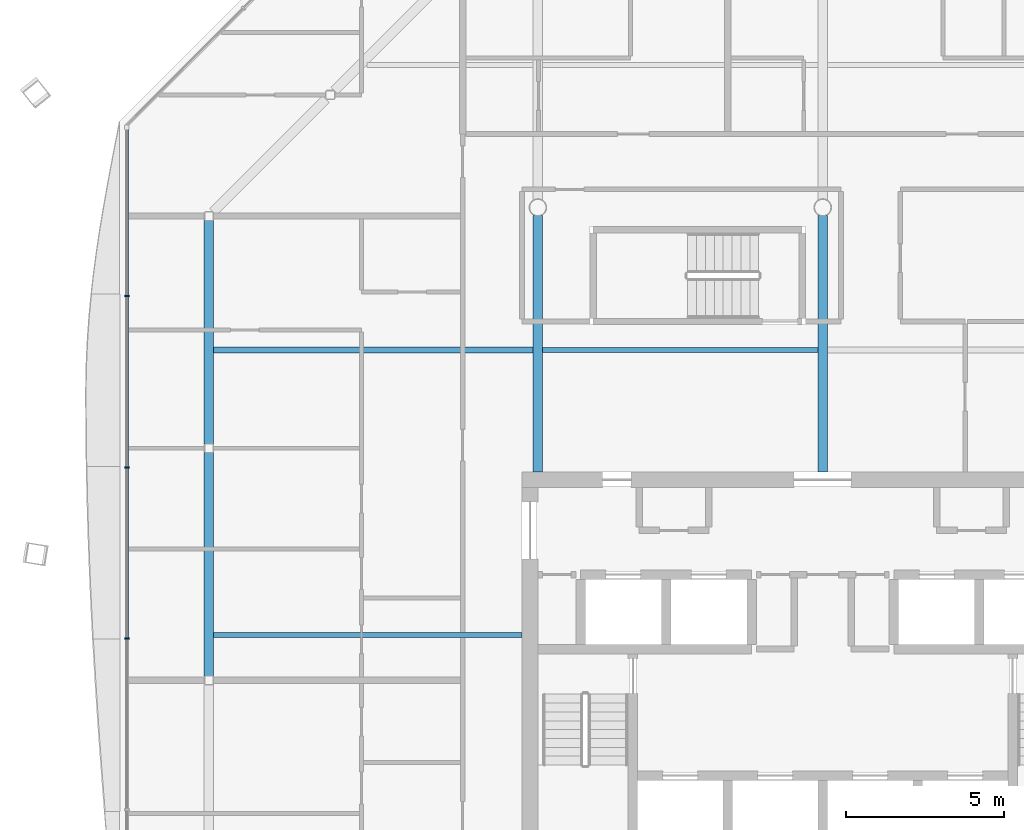
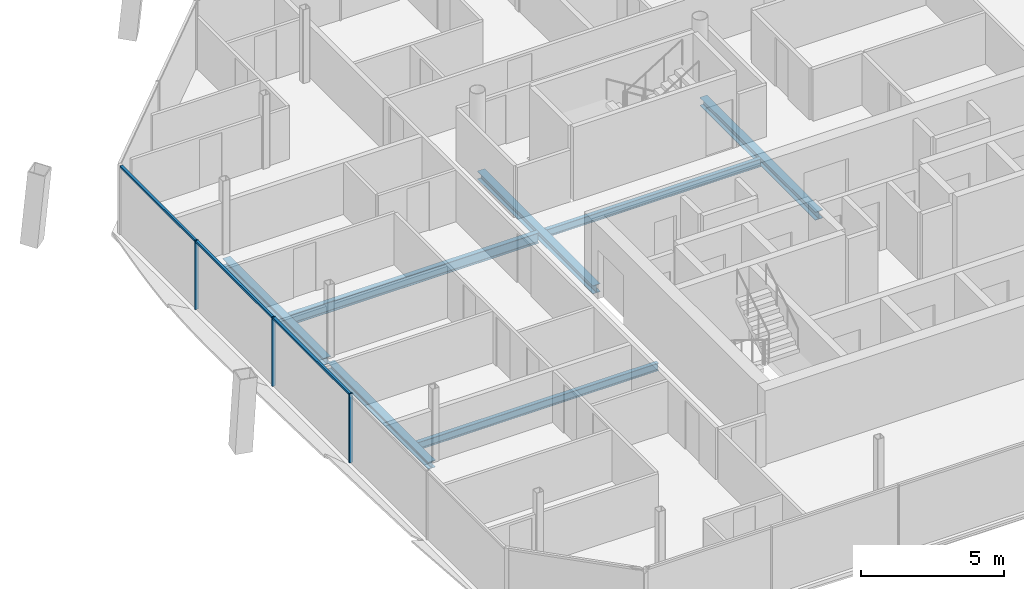
# One storey, part 6 of 18: 7 beams, 6 members, 1 element without a shape of its own.
"""IFC4 building model written with IfcOpenShell, lengths in metres."""

from ifc_helpers import new_model, si_unit, direction, frame, origin, origin_2d, place, context, subcontext, project, spatial, rectangle, i_section, extrude, material, material_profile, profile_set, type_object, element, aggregate, save


model = new_model("IFC4")

# Units and contexts
model_context = context("Model", 3, precision=1e-05, world=origin(), true_north=direction((0.0, 1.0)))
body_context = subcontext(model_context, "Body", "Model", "MODEL_VIEW")
ifc_project = project(units=[si_unit("LENGTHUNIT", "METRE"), si_unit("AREAUNIT", "SQUARE_METRE"), si_unit("VOLUMEUNIT", "CUBIC_METRE"), si_unit("PLANEANGLEUNIT", "RADIAN"), si_unit("MASSUNIT", "GRAM", prefix="KILO")], contexts=[model_context])

# Site, building, storey
site_placement = place(None, origin())
site = spatial("IfcSite", under=ifc_project, at=site_placement, CompositionType="ELEMENT")
building_placement = place(site_placement, origin())
building = spatial("IfcBuilding", under=site, at=building_placement, Name="Tskaro Facet Tower", CompositionType="ELEMENT")
storey_placement = place(building_placement, frame((0.0, 0.0, 220.35009765625)))
storey = spatial("IfcBuildingStorey", under=building, at=storey_placement, Name="L56", CompositionType="ELEMENT", Elevation=220.35009765625)

# Curtain wall, members
ifc_material_1 = material(Name="Bronze anodised aluminium 6063-T6", Category="aluminium")
curtain_wall_type = type_object("IfcCurtainWallType", Name="Bronze residence curtain wall (FW3)", PredefinedType="NOTDEFINED", material=ifc_material_1)
curtain_wall_placement = place(storey_placement, origin())
curtain_wall = element("IfcCurtainWall", 1, at=curtain_wall_placement, inside=storey, type_object=curtain_wall_type, Name="FW3 west facet L56", PredefinedType="NOTDEFINED")
ifc_material_profile_1 = material_profile(ifc_material_1, rectangle(XDim=0.050048828125, YDim=0.139892578125, at=origin_2d()), Name="Mullion 50x140")
ifc_profile_set_1 = profile_set([ifc_material_profile_1], Name="Bronze anodised aluminium 6063-T6")
member_type_1 = type_object("IfcMemberType", Name="FW3 bronze mullion 50x140", PredefinedType="MULLION", material=ifc_profile_set_1)
member_1_placement = place(storey_placement, frame((-21.985107421875, 6.2001953125, 0.0), z_axis=(0.0, 0.0, 1.0), x_axis=(0.0, -1.0, 0.0)))
member_1 = element("IfcMember", 2, at=member_1_placement, type_object=member_type_1, Name="FW3 west mullion 1", PredefinedType="MULLION", context=body_context, shape_type="SweptSolid", body=[
    extrude(rectangle(XDim=0.050048828125, YDim=0.139892578125, at=origin_2d()), origin(), (0.0, 0.0, 1.0), 2.949951171875),
])
member_2_placement = place(storey_placement, frame((-21.985107421875, 0.79150390625, 0.0), z_axis=(0.0, 0.0, 1.0), x_axis=(0.0, -1.0, 0.0)))
member_2 = element("IfcMember", 3, at=member_2_placement, type_object=member_type_1, Name="FW3 west mullion 2", PredefinedType="MULLION", context=body_context, shape_type="SweptSolid", body=[
    extrude(rectangle(XDim=0.050048828125, YDim=0.139892578125, at=origin_2d()), origin(), (0.0, 0.0, 1.0), 2.949951171875),
])
member_3_placement = place(storey_placement, frame((-21.985107421875, -4.617431640625, 0.0), z_axis=(0.0, 0.0, 1.0), x_axis=(0.0, -1.0, 0.0)))
member_3 = element("IfcMember", 4, at=member_3_placement, type_object=member_type_1, Name="FW3 west mullion 3", PredefinedType="MULLION", context=body_context, shape_type="SweptSolid", body=[
    extrude(rectangle(XDim=0.050048828125, YDim=0.139892578125, at=origin_2d()), origin(), (0.0, 0.0, 1.0), 2.949951171875),
])
ifc_material_profile_2 = material_profile(ifc_material_1, rectangle(XDim=0.10009765625, YDim=0.090087890625, at=origin_2d()), Name="Transom 100x90")
ifc_profile_set_2 = profile_set([ifc_material_profile_2], Name="Bronze anodised aluminium 6063-T6")
member_type_2 = type_object("IfcMemberType", Name="FW3 bronze transom 100x90", PredefinedType="USERDEFINED", material=ifc_profile_set_2)
member_4_placement = place(storey_placement, frame((-21.985107421875, 11.468994140625, 2.90478515625), z_axis=(0.0, -1.0, 0.0), x_axis=(1.0, 0.0, 0.0)))
member_4 = element("IfcMember", 5, at=member_4_placement, type_object=member_type_2, Name="FW3 west transom 1.1", ObjectType="TRANSOM", PredefinedType="USERDEFINED", context=body_context, shape_type="SweptSolid", body=[
    extrude(rectangle(XDim=0.10009765625, YDim=0.090087890625, at=origin_2d()), origin(), (0.0, 0.0, 1.0), 5.243896484375),
])
member_5_placement = place(storey_placement, frame((-21.985107421875, 6.17529296875, 2.90478515625), z_axis=(0.0, -1.0, 0.0), x_axis=(1.0, 0.0, 0.0)))
member_5 = element("IfcMember", 6, at=member_5_placement, type_object=member_type_2, Name="FW3 west transom 2.1", ObjectType="TRANSOM", PredefinedType="USERDEFINED", context=body_context, shape_type="SweptSolid", body=[
    extrude(rectangle(XDim=0.10009765625, YDim=0.090087890625, at=origin_2d()), origin(), (0.0, 0.0, 1.0), 5.35888671875),
])
member_6_placement = place(storey_placement, frame((-21.985107421875, 0.766357421875, 2.90478515625), z_axis=(0.0, -1.0, 0.0), x_axis=(1.0, 0.0, 0.0)))
member_6 = element("IfcMember", 7, at=member_6_placement, type_object=member_type_2, Name="FW3 west transom 3.1", ObjectType="TRANSOM", PredefinedType="USERDEFINED", context=body_context, shape_type="SweptSolid", body=[
    extrude(rectangle(XDim=0.10009765625, YDim=0.090087890625, at=origin_2d()), origin(), (0.0, 0.0, 1.0), 5.358642578125),
])
aggregate(curtain_wall, [member_1, member_2, member_3, member_4, member_5, member_6])

# Beams
ifc_material_2 = material(Name="Steel S355J2", Category="steel")
ifc_material_profile_3 = material_profile(ifc_material_2, i_section(OverallWidth=0.300048828125, OverallDepth=0.300048828125, WebThickness=0.010986328125, FlangeThickness=0.01904296875, FilletRadius=0.027099609375, at=origin_2d()), Name="HE 300 B")
ifc_profile_set_3 = profile_set([ifc_material_profile_3], Name="Steel S355J2")
beam_type_1 = type_object("IfcBeamType", Name="HE 300 B ring beam", PredefinedType="BEAM", material=ifc_profile_set_3)
beam_1_placement = place(storey_placement, frame((-19.39111328125, 8.594970703125, -0.2900390625), z_axis=(0.0, -1.0, 0.0), x_axis=(1.0, 0.0, 0.0)))
element("IfcBeam", 8, at=beam_1_placement, inside=storey, type_object=beam_type_1, Name="HE 300 B EB14-5", PredefinedType="BEAM", context=body_context, shape_type="SweptSolid", body=[
    extrude(i_section(OverallWidth=0.300048828125, OverallDepth=0.300048828125, WebThickness=0.010986328125, FlangeThickness=0.01904296875, FilletRadius=0.027099609375, at=origin_2d()), origin(), (0.0, 0.0, 1.0), 7.071044921875),
])
beam_2_placement = place(storey_placement, frame((-19.39111328125, 1.263916015625, -0.2900390625), z_axis=(0.0, -1.0, 0.0), x_axis=(1.0, 0.0, 0.0)))
element("IfcBeam", 9, at=beam_2_placement, inside=storey, type_object=beam_type_1, Name="HE 300 B EB15-5", PredefinedType="BEAM", context=body_context, shape_type="SweptSolid", body=[
    extrude(i_section(OverallWidth=0.300048828125, OverallDepth=0.300048828125, WebThickness=0.010986328125, FlangeThickness=0.01904296875, FilletRadius=0.027099609375, at=origin_2d()), origin(), (0.0, 0.0, 1.0), 7.07080078125),
])
ifc_material_profile_4 = material_profile(ifc_material_2, i_section(OverallWidth=0.300048828125, OverallDepth=0.35009765625, WebThickness=0.010009765625, FlangeThickness=0.017578125, FilletRadius=0.027099609375, at=origin_2d()), Name="HE 360 A")
ifc_profile_set_4 = profile_set([ifc_material_profile_4], Name="Steel S355J2")
beam_type_2 = type_object("IfcBeamType", Name="HE 360 A girder", PredefinedType="BEAM", material=ifc_profile_set_4)
for number, where, z_axis, x_axis, name in (
    (10, (-9.0, 0.64990234375, -0.315185546875), (0.0, 1.0, 0.0), (-1.0, 0.0, 0.0), "HE 360 A GB3-2-5"),
    (11, (0.0, 0.64990234375, -0.315185546875), (0.0, 1.0, 0.0), (-1.0, 0.0, 0.0), "HE 360 A GB4-2-5"),
):
    element("IfcBeam", number, at=place(storey_placement, frame(where, z_axis=z_axis, x_axis=x_axis)), inside=storey, type_object=beam_type_2, Name=name, PredefinedType="BEAM", context=body_context, shape_type="SweptSolid", body=[
        extrude(i_section(OverallWidth=0.300048828125, OverallDepth=0.35009765625, WebThickness=0.010009765625, FlangeThickness=0.017578125, FilletRadius=0.027099609375, at=origin_2d()), origin(), (0.0, 0.0, 1.0), 8.1005859375),
    ])
ifc_material_profile_5 = material_profile(ifc_material_2, i_section(OverallWidth=0.159912109375, OverallDepth=0.330078125, WebThickness=0.007568359375, FlangeThickness=0.011474609375, FilletRadius=0.01806640625, at=origin_2d()), Name="IPE 330")
ifc_profile_set_5 = profile_set([ifc_material_profile_5], Name="Steel S355J2")
beam_type_3 = type_object("IfcBeamType", Name="IPE 330 secondary beam", PredefinedType="BEAM", material=ifc_profile_set_5)
beam_3_placement = place(storey_placement, frame((-19.240966796875, -4.5, -0.30517578125), z_axis=(1.0, 0.0, 0.0), x_axis=(0.0, 1.0, 0.0)))
element("IfcBeam", 12, at=beam_3_placement, inside=storey, type_object=beam_type_3, Name="IPE 330 SB3a-1-5", PredefinedType="BEAM", context=body_context, shape_type="SweptSolid", body=[
    extrude(i_section(OverallWidth=0.159912109375, OverallDepth=0.330078125, WebThickness=0.007568359375, FlangeThickness=0.011474609375, FilletRadius=0.01806640625, at=origin_2d()), origin(), (0.0, 0.0, 1.0), 9.740966796875),
])
beam_4_placement = place(storey_placement, frame((-8.85009765625, 4.5, -0.30517578125), z_axis=(1.0, 0.0, 0.0), x_axis=(0.0, 1.0, 0.0)))
element("IfcBeam", 13, at=beam_4_placement, inside=storey, type_object=beam_type_3, Name="IPE 330 SB4a-2-5", PredefinedType="BEAM", context=body_context, shape_type="SweptSolid", body=[
    extrude(i_section(OverallWidth=0.159912109375, OverallDepth=0.330078125, WebThickness=0.007568359375, FlangeThickness=0.011474609375, FilletRadius=0.01806640625, at=origin_2d()), origin(), (0.0, 0.0, 1.0), 8.7001953125),
])
ifc_material_profile_6 = material_profile(ifc_material_2, i_section(OverallWidth=0.18994140625, OverallDepth=0.449951171875, WebThickness=0.009521484375, FlangeThickness=0.0146484375, FilletRadius=0.02099609375, at=origin_2d()), Name="IPE 450")
ifc_profile_set_6 = profile_set([ifc_material_profile_6], Name="Steel S355J2")
beam_type_4 = type_object("IfcBeamType", Name="IPE 450 long secondary beam", PredefinedType="BEAM", material=ifc_profile_set_6)
beam_5_placement = place(storey_placement, frame((-19.240966796875, 4.5, -0.364990234375), z_axis=(1.0, 0.0, 0.0), x_axis=(0.0, 1.0, 0.0)))
element("IfcBeam", 14, at=beam_5_placement, inside=storey, type_object=beam_type_4, Name="IPE 450 LSB4a-1-5", PredefinedType="BEAM", context=body_context, shape_type="SweptSolid", body=[
    extrude(i_section(OverallWidth=0.18994140625, OverallDepth=0.449951171875, WebThickness=0.009521484375, FlangeThickness=0.0146484375, FilletRadius=0.02099609375, at=origin_2d()), origin(), (0.0, 0.0, 1.0), 10.091064453125),
])

save(model, "model.ifc")
